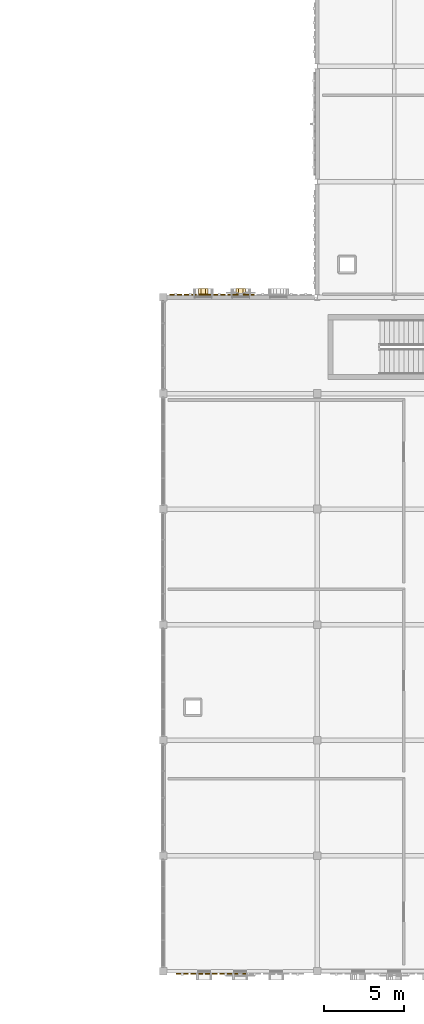
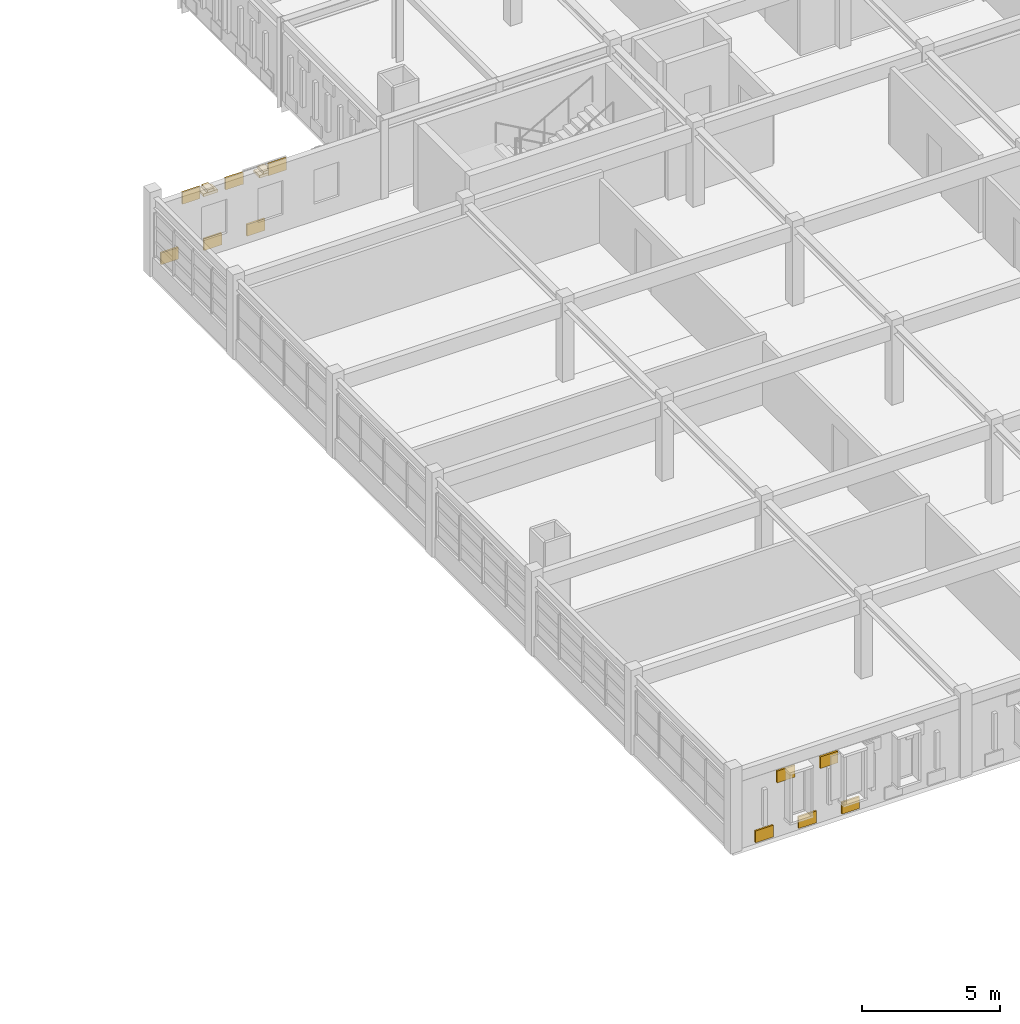
# One storey, part 50 of 53: 15 coverings.
"""IFC4 building model written with IfcOpenShell, lengths in metres."""

from ifc_helpers import new_model, si_unit, direction, frame, origin, origin_2d, place, context, subcontext, project, spatial, rectangle, extrude, material, layer, layer_set, type_object, element, save


model = new_model("IFC4")

# Units and contexts
model_context = context("Model", 3, precision=1e-05, world=origin(), true_north=direction((0.0, 1.0)))
body_context = subcontext(model_context, "Body", "Model", "MODEL_VIEW")
ifc_project = project(units=[si_unit("LENGTHUNIT", "METRE"), si_unit("AREAUNIT", "SQUARE_METRE"), si_unit("VOLUMEUNIT", "CUBIC_METRE"), si_unit("PLANEANGLEUNIT", "RADIAN"), si_unit("MASSUNIT", "GRAM", prefix="KILO")], contexts=[model_context])

# Site, building, storey
site_placement = place(None, origin())
site = spatial("IfcSite", under=ifc_project, at=site_placement, CompositionType="ELEMENT")
building_placement = place(site_placement, origin())
building = spatial("IfcBuilding", under=site, at=building_placement, Name="Nzembalo Square Collegiate School", CompositionType="ELEMENT")
storey_placement = place(building_placement, frame((0.0, 0.0, 13.60009765625)))
storey = spatial("IfcBuildingStorey", under=building, at=storey_placement, Name="L03", CompositionType="ELEMENT", Elevation=13.60009765625)

# Coverings
ifc_material_1 = material(Name="Glazed cobalt ceramic patterned tile")
ifc_layer_1 = layer(ifc_material_1, 0.074951171875, Name="Glazed cobalt ceramic patterned tile")
ifc_layer_set_1 = layer_set([ifc_layer_1], Name="Glazed cobalt ceramic patterned tile")
covering_type_1 = type_object("IfcCoveringType", Name="CL01", PredefinedType="CLADDING", material=ifc_layer_set_1)
for number, where, z_axis, x_axis, name in (
    (1, (131.594970703125, 50.56005859375, 0.099853515625), (0.0, 0.0, 1.0), (1.0, 0.0, 0.0), "Patterned ceramic tile CL01-X0198-0-0"),
    (2, (132.4951171875, 50.56005859375, 2.458984375), (0.0, 0.0, 1.0), (1.0, 0.0, 0.0), "Patterned ceramic tile CL01-X0198-1-1"),
    (3, (133.39501953125, 50.56005859375, 0.099853515625), (0.0, 0.0, 1.0), (1.0, 0.0, 0.0), "Patterned ceramic tile CL01-X0198-2-0"),
    (4, (134.294921875, 50.56005859375, 2.458984375), (0.0, 0.0, 1.0), (1.0, 0.0, 0.0), "Patterned ceramic tile CL01-X0198-3-1"),
    (5, (135.195068359375, 50.56005859375, 0.099853515625), (0.0, 0.0, 1.0), (1.0, 0.0, 0.0), "Patterned ceramic tile CL01-X0198-4-0"),
    (6, (136.094970703125, 50.56005859375, 2.458984375), (0.0, 0.0, 1.0), (1.0, 0.0, 0.0), "Patterned ceramic tile CL01-X0198-5-1"),
    (7, (132.0, 8.25, 0.099853515625), (0.0, 0.0, 1.0), (1.0, 0.0, 0.0), "Patterned ceramic tile CL01-X0217-0-0"),
    (8, (132.89990234375, 8.25, 2.428955078125), (0.0, 0.0, 1.0), (1.0, 0.0, 0.0), "Patterned ceramic tile CL01-X0217-1-1"),
    (9, (133.800048828125, 8.25, 0.099853515625), (0.0, 0.0, 1.0), (1.0, 0.0, 0.0), "Patterned ceramic tile CL01-X0217-2-0"),
    (10, (134.699951171875, 8.25, 2.428955078125), (0.0, 0.0, 1.0), (1.0, 0.0, 0.0), "Patterned ceramic tile CL01-X0217-3-1"),
    (11, (135.60009765625, 8.25, 0.099853515625), (0.0, 0.0, 1.0), (1.0, 0.0, 0.0), "Patterned ceramic tile CL01-X0217-4-0"),
):
    element("IfcCovering", number, at=place(storey_placement, frame(where, z_axis=z_axis, x_axis=x_axis)), inside=storey, type_object=covering_type_1, Name=name, PredefinedType="CLADDING", context=body_context, shape_type="SweptSolid", body=[
        extrude(rectangle(XDim=0.739990234375, YDim=0.074951171875, at=origin_2d()), origin(), (0.0, 0.0, 1.0), 0.52001953125),
    ])
ifc_material_2 = material(Name="Glazed celadon ceramic window frame")
ifc_layer_2 = layer(ifc_material_2, 0.419921875, Name="Glazed celadon ceramic window frame")
ifc_layer_set_2 = layer_set([ifc_layer_2], Name="Glazed celadon ceramic window frame")
covering_type_2 = type_object("IfcCoveringType", Name="WF01", PredefinedType="CLADDING", material=ifc_layer_set_2)
covering_1_placement = place(storey_placement, frame((133.301025390625, 50.737548828125, 2.479736328125), z_axis=(0.0, 0.0, 1.0), x_axis=(1.0, 0.0, 0.0)))
element("IfcCovering", 12, at=covering_1_placement, inside=storey, type_object=covering_type_2, Name="Pointed lancet gable WF01-0532-2", PredefinedType="CLADDING", context=body_context, shape_type="SweptSolid", body=[
    extrude(rectangle(XDim=0.60009765625, YDim=0.419921875, at=origin_2d()), origin(), (0.0, 0.0, 1.0), 0.1201171875),
])
covering_2_placement = place(storey_placement, frame((133.301025390625, 50.737548828125, 2.599853515625), z_axis=(0.0, 0.0, 1.0), x_axis=(1.0, 0.0, 0.0)))
element("IfcCovering", 13, at=covering_2_placement, inside=storey, type_object=covering_type_2, Name="Pointed lancet gable WF01-0532-3", PredefinedType="CLADDING", context=body_context, shape_type="SweptSolid", body=[
    extrude(rectangle(XDim=0.27490234375, YDim=0.419921875, at=origin_2d()), origin(), (0.0, 0.0, 1.0), 0.1201171875),
])
covering_3_placement = place(storey_placement, frame((135.64501953125, 50.737548828125, 2.479736328125), z_axis=(0.0, 0.0, 1.0), x_axis=(1.0, 0.0, 0.0)))
element("IfcCovering", 14, at=covering_3_placement, inside=storey, type_object=covering_type_2, Name="Pointed lancet gable WF01-0533-2", PredefinedType="CLADDING", context=body_context, shape_type="SweptSolid", body=[
    extrude(rectangle(XDim=0.60009765625, YDim=0.419921875, at=origin_2d()), origin(), (0.0, 0.0, 1.0), 0.1201171875),
])
covering_4_placement = place(storey_placement, frame((135.64501953125, 50.737548828125, 2.599853515625), z_axis=(0.0, 0.0, 1.0), x_axis=(1.0, 0.0, 0.0)))
element("IfcCovering", 15, at=covering_4_placement, inside=storey, type_object=covering_type_2, Name="Pointed lancet gable WF01-0533-3", PredefinedType="CLADDING", context=body_context, shape_type="SweptSolid", body=[
    extrude(rectangle(XDim=0.27490234375, YDim=0.419921875, at=origin_2d()), origin(), (0.0, 0.0, 1.0), 0.1201171875),
])

save(model, "model.ifc")
